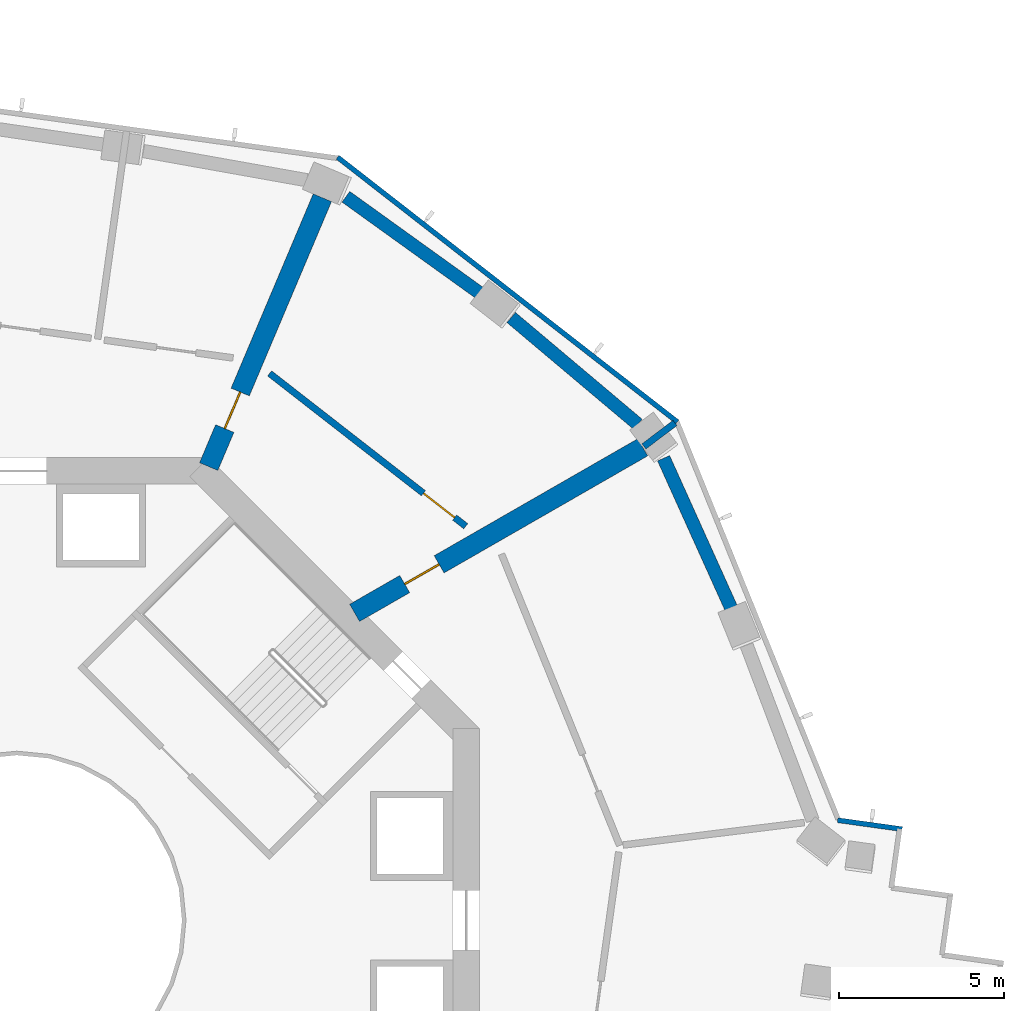
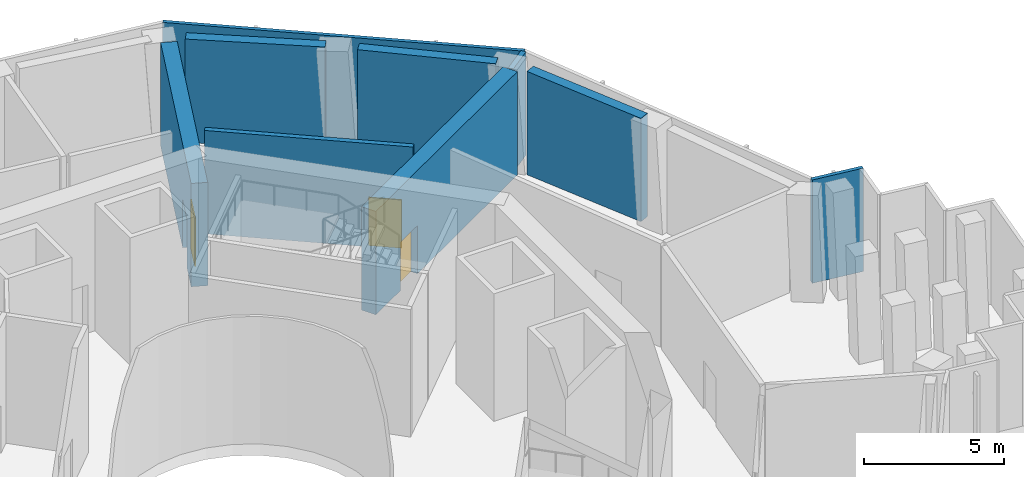
# One storey, part 5 of 17: 9 walls, 3 doors, 3 openings.
"""IFC4 building model written with IfcOpenShell, lengths in metres."""

from ifc_helpers import new_model, si_unit, direction, frame, frame_2d, origin, place, context, subcontext, project, spatial, rectangle, extrude, material, layer, layer_set, type_object, element, fill, save


model = new_model("IFC4")

# Units and contexts
model_context = context("Model", 3, precision=1e-05, world=origin(), true_north=direction((0.0, 1.0)))
body_context = subcontext(model_context, "Body", "Model", "MODEL_VIEW")
ifc_project = project(units=[si_unit("LENGTHUNIT", "METRE"), si_unit("AREAUNIT", "SQUARE_METRE"), si_unit("VOLUMEUNIT", "CUBIC_METRE"), si_unit("PLANEANGLEUNIT", "RADIAN"), si_unit("MASSUNIT", "GRAM", prefix="KILO")], contexts=[model_context])

# Site, building, storey
site_placement = place(None, origin())
site = spatial("IfcSite", under=ifc_project, at=site_placement, CompositionType="ELEMENT")
building_placement = place(site_placement, origin())
building = spatial("IfcBuilding", under=site, at=building_placement, Name="Verdalira Terraces Hotel", CompositionType="ELEMENT")
storey_placement = place(building_placement, frame((0.0, 0.0, 122.0)))
storey = spatial("IfcBuildingStorey", under=building, at=storey_placement, Name="L29", CompositionType="ELEMENT", Elevation=122.0)

# Walls
ifc_material_1 = material(Name="Concrete C70", Category="concrete")
ifc_layer_1 = layer(ifc_material_1, 0.39990234375)
ifc_layer_set_1 = layer_set([ifc_layer_1], Name="Belt wall 400 C70")
wall_type_1 = type_object("IfcWallType", Name="Belt wall 400 C70", PredefinedType="SHEAR", material=ifc_layer_set_1)
wall_1_placement = place(storey_placement, frame((21.633545, 9.413818, 0.0), z_axis=(0.0, 0.0, 1.0), x_axis=(-0.411115687, 0.911583179, 0.0)))
element("IfcWall", 1, at=wall_1_placement, inside=storey, type_object=wall_type_1, Name="Belt wall BW-29-14", PredefinedType="SHEAR", context=body_context, shape_type="SweptSolid", body=[
    extrude(rectangle(XDim=5.013916, YDim=0.399902, at=frame_2d((2.506836, 0.0))), origin(), (0.0, 0.0, 1.0), 4.5),
])
wall_2_placement = place(storey_placement, frame((18.795654, 15.011963, 0.0), z_axis=(0.0, 0.0, 1.0), x_axis=(-0.764745764, 0.644332147, 0.0)))
element("IfcWall", 2, at=wall_2_placement, inside=storey, type_object=wall_type_1, Name="Belt wall BW-29-15", PredefinedType="SHEAR", context=body_context, shape_type="SweptSolid", body=[
    extrude(rectangle(XDim=5.01416, YDim=0.399902, at=frame_2d((2.50708, 0.0))), origin(), (0.0, 0.0, 1.0), 4.5),
])
wall_3_placement = place(storey_placement, frame((14.02832, 18.969482, 0.0), z_axis=(0.0, 0.0, 1.0), x_axis=(-0.811830713, 0.583892879, 0.0)))
element("IfcWall", 3, at=wall_3_placement, inside=storey, type_object=wall_type_1, Name="Belt wall BW-29-16", PredefinedType="SHEAR", context=body_context, shape_type="SweptSolid", body=[
    extrude(rectangle(XDim=5.013672, YDim=0.399902, at=frame_2d((2.506836, 0.0))), origin(), (0.0, 0.0, 1.0), 4.5),
])

# Wall, opening, door
ifc_material_2 = material(Name="Concrete C70", Category="concrete")
ifc_layer_2 = layer(ifc_material_2, 0.60009765625)
ifc_layer_set_2 = layer_set([ifc_layer_2], Name="Outrigger wall 600 C70")
wall_type_2 = type_object("IfcWallType", Name="Outrigger wall 600 C70", PredefinedType="SHEAR", material=ifc_layer_set_2)
wall_4_placement = place(storey_placement, frame((10.221191, 9.304932, 0.0), z_axis=(0.0, 0.0, 1.0), x_axis=(0.867084572, 0.498160963, 0.0)))
wall_4 = element("IfcWall", 4, at=wall_4_placement, inside=storey, type_object=wall_type_2, Name="Outrigger wall OW-29-5", PredefinedType="SHEAR", context=body_context, shape_type="SweptSolid", body=[
    extrude(rectangle(XDim=10.057617, YDim=0.600098, at=frame_2d((5.028809, 0.0))), origin(), (0.0, 0.0, 1.0), 4.5),
])
opening_1_placement = place(wall_4_placement, frame((1.75, 0.0, 0.0)))
opening_1 = element("IfcOpeningElement", 5, at=opening_1_placement, cuts=wall_4, Name="Opening L29-105", PredefinedType="OPENING", context=body_context, shape_type="SweptSolid", body=[
    extrude(rectangle(XDim=1.199951, YDim=2.100098, at=frame_2d((0.600098, 1.050049))), frame((0.0, 0.310059, 0.0), z_axis=(0.0, -1.0, 0.0), x_axis=(1.0, 0.0, 0.0)), (0.0, 0.0, 1.0), 0.620117),
])
ifc_material_3 = material(Name="Steel fire door", Category="steel")
door_type = type_object("IfcDoorType", Name="Plant room door 1200 x 2100", OperationType="NOTDEFINED", PredefinedType="DOOR", material=ifc_material_3)
door_1_placement = place(opening_1_placement, origin())
door_1 = element("IfcDoor", 6, at=door_1_placement, inside=storey, type_object=door_type, Name="Plant room door", OperationType="SINGLE_SWING_LEFT", OverallHeight=2.10009765625, OverallWidth=1.199951171875, PredefinedType="DOOR", context=body_context, shape_type="SweptSolid", body=[
    extrude(rectangle(XDim=1.199951, YDim=2.100098, at=frame_2d((0.600098, 1.050049))), frame((0.0, 0.024902, 0.0), z_axis=(0.0, -1.0, 0.0), x_axis=(1.0, 0.0, 0.0)), (0.0, 0.0, 1.0), 0.050049),
])
fill(opening_1, door_1)

wall_5_placement = place(storey_placement, frame((5.805908, 13.730957, 0.0), z_axis=(0.0, 0.0, 1.0), x_axis=(0.389448866, 0.921048088, 0.0)))
wall_5 = element("IfcWall", 7, at=wall_5_placement, inside=storey, type_object=wall_type_2, Name="Outrigger wall OW-29-6", PredefinedType="SHEAR", context=body_context, shape_type="SweptSolid", body=[
    extrude(rectangle(XDim=8.834717, YDim=0.600098, at=frame_2d((4.41748, 0.0))), origin(), (0.0, 0.0, 1.0), 4.5),
])
opening_2_placement = place(wall_5_placement, frame((1.25, 0.0, 0.0)))
opening_2 = element("IfcOpeningElement", 8, at=opening_2_placement, cuts=wall_5, Name="Opening L29-106", PredefinedType="OPENING", context=body_context, shape_type="SweptSolid", body=[
    extrude(rectangle(XDim=1.199951, YDim=2.100098, at=frame_2d((0.600098, 1.050049))), frame((0.0, 0.310059, 0.0), z_axis=(0.0, -1.0, 0.0), x_axis=(1.0, 0.0, 0.0)), (0.0, 0.0, 1.0), 0.620117),
])
door_2_placement = place(opening_2_placement, origin())
door_2 = element("IfcDoor", 9, at=door_2_placement, inside=storey, type_object=door_type, Name="Plant room door", OperationType="SINGLE_SWING_LEFT", OverallHeight=2.10009765625, OverallWidth=1.199951171875, PredefinedType="DOOR", context=body_context, shape_type="SweptSolid", body=[
    extrude(rectangle(XDim=1.199951, YDim=2.100098, at=frame_2d((0.600098, 1.050049))), frame((0.0, 0.024902, 0.0), z_axis=(0.0, -1.0, 0.0), x_axis=(1.0, 0.0, 0.0)), (0.0, 0.0, 1.0), 0.050049),
])
fill(opening_2, door_2)

ifc_material_4 = material(Name="Fire-rated concrete block wall", Category="concrete")
ifc_layer_3 = layer(ifc_material_4, 0.199951171875)
ifc_layer_set_3 = layer_set([ifc_layer_3], Name="Plant room wall 200 mm")
wall_type_3 = type_object("IfcWallType", Name="Plant room wall 200 mm", PredefinedType="SOLIDWALL", material=ifc_layer_set_3)
wall_6_placement = place(storey_placement, frame((7.649902, 16.551514, 0.0), z_axis=(0.0, 0.0, 1.0), x_axis=(0.788857495, -0.614576157, 0.0)))
wall_6 = element("IfcWall", 10, at=wall_6_placement, inside=storey, type_object=wall_type_3, Name="Plant room wall", PredefinedType="SOLIDWALL", context=body_context, shape_type="SweptSolid", body=[
    extrude(rectangle(XDim=7.523926, YDim=0.199951, at=frame_2d((3.761963, 0.0))), origin(), (0.0, 0.0, 1.0), 4.5),
])
opening_3_placement = place(wall_6_placement, frame((5.899902, 0.0, 0.0)))
opening_3 = element("IfcOpeningElement", 11, at=opening_3_placement, cuts=wall_6, Name="Opening L29-117", PredefinedType="OPENING", context=body_context, shape_type="SweptSolid", body=[
    extrude(rectangle(XDim=1.199951, YDim=2.100098, at=frame_2d((0.600098, 1.050049))), frame((0.0, 0.109863, 0.0), z_axis=(0.0, -1.0, 0.0), x_axis=(1.0, 0.0, 0.0)), (0.0, 0.0, 1.0), 0.219971),
])
door_3_placement = place(opening_3_placement, origin())
door_3 = element("IfcDoor", 12, at=door_3_placement, inside=storey, type_object=door_type, Name="Plant room door 2911", OperationType="SINGLE_SWING_LEFT", OverallHeight=2.10009765625, OverallWidth=1.199951171875, PredefinedType="DOOR", context=body_context, shape_type="SweptSolid", body=[
    extrude(rectangle(XDim=1.199951, YDim=2.100098, at=frame_2d((0.600098, 1.050049))), frame((0.0, 0.024902, 0.0), z_axis=(0.0, -1.0, 0.0), x_axis=(1.0, 0.0, 0.0)), (0.0, 0.0, 1.0), 0.050049),
])
fill(opening_3, door_3)

# Walls
wall_7_placement = place(storey_placement, frame((18.978271, 14.342773, 0.0), z_axis=(0.0, 0.0, 1.0), x_axis=(0.797851786, 0.602853653, 0.0)))
element("IfcWall", 13, at=wall_7_placement, inside=storey, type_object=wall_type_3, Name="Plant room wall", PredefinedType="SOLIDWALL", context=body_context, shape_type="SweptSolid", body=[
    extrude(rectangle(XDim=1.175537, YDim=0.199951, at=frame_2d((0.587891, 0.0))), origin(), (0.0, 0.0, 1.0), 4.5),
])
ifc_material_5 = material(Name="Terracotta cladding", Category="masonry")
ifc_layer_4 = layer(ifc_material_5, 0.14990234375)
ifc_layer_set_4 = layer_set([ifc_layer_4], Name="Terracotta clad wall 150")
wall_type_4 = type_object("IfcWallType", Name="Terracotta clad wall 150", PredefinedType="SOLIDWALL", material=ifc_layer_set_4)
wall_8_placement = place(storey_placement, frame((26.788818, 2.76001, 0.0), z_axis=(0.0, 0.0, 1.0), x_axis=(-0.990456115, 0.137828457, 0.0)))
element("IfcWall", 14, at=wall_8_placement, inside=storey, type_object=wall_type_4, Name="Terracotta cladding wall", PredefinedType="SOLIDWALL", context=body_context, shape_type="SweptSolid", body=[
    extrude(rectangle(XDim=1.969727, YDim=0.149902, at=frame_2d((0.984863, 0.0))), origin(), (0.0, 0.0, 1.0), 4.5),
])
wall_9_placement = place(storey_placement, frame((19.989746, 15.082764, 0.0), z_axis=(0.0, 0.0, 1.0), x_axis=(-0.788865857, 0.614565423, 0.0)))
element("IfcWall", 15, at=wall_9_placement, inside=storey, type_object=wall_type_4, Name="Terracotta cladding wall", PredefinedType="SOLIDWALL", context=body_context, shape_type="SweptSolid", body=[
    extrude(rectangle(XDim=13.034912, YDim=0.149902, at=frame_2d((6.517578, 0.0))), origin(), (0.0, 0.0, 1.0), 4.5),
])

save(model, "model.ifc")
